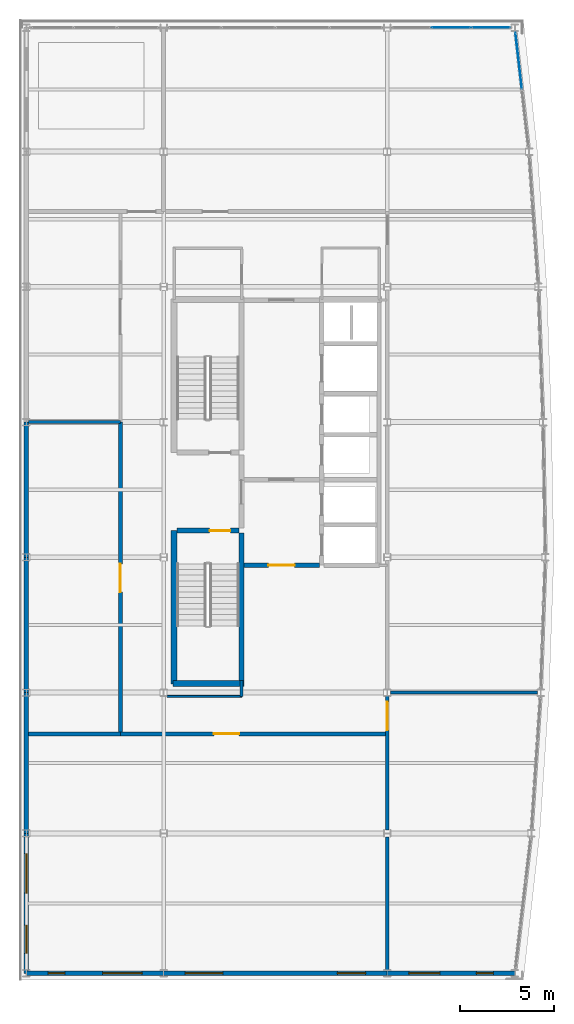
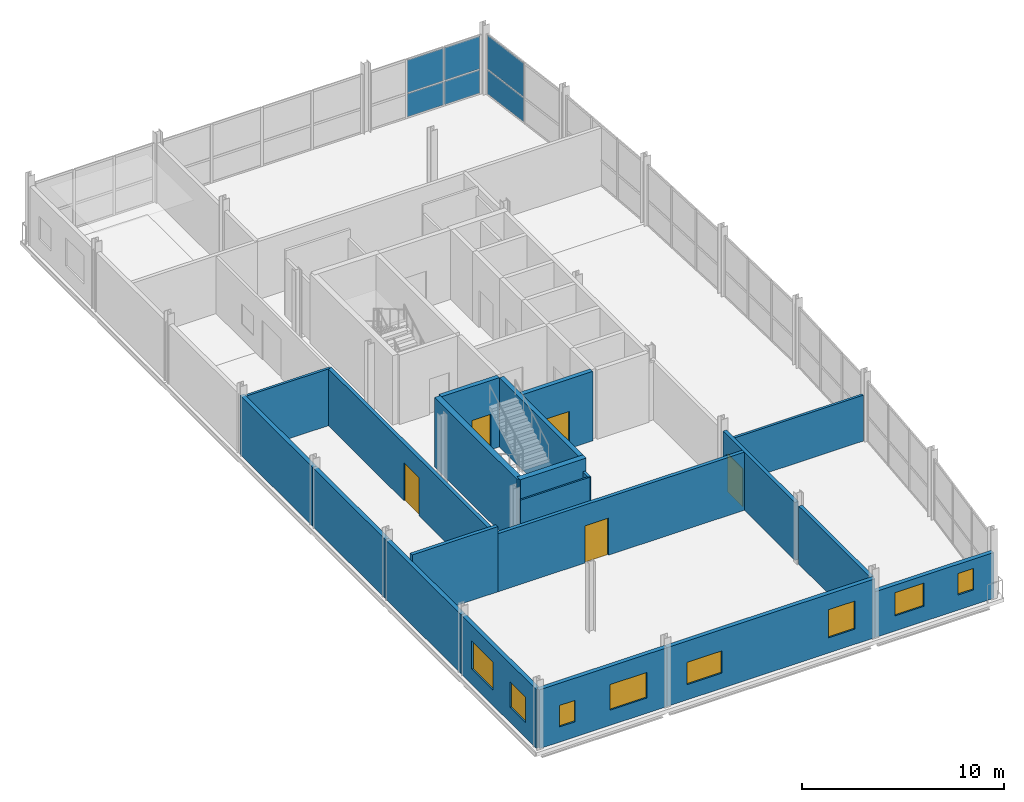
# One storey, part 15 of 20: 21 walls, 8 windows, 6 plates, 5 doors, 13 openings, 2 elements without a shape of their own.
"""IFC4 building model written with IfcOpenShell, lengths in metres."""

from ifc_helpers import new_model, si_unit, direction, frame, frame_2d, origin, origin_2d, place, context, subcontext, project, spatial, rectangle, extrude, material, layer, layer_set, type_object, element, fill, aggregate, save


model = new_model("IFC4")

# Units and contexts
model_context = context("Model", 3, precision=1e-05, world=origin(), true_north=direction((0.0, 1.0)))
body_context = subcontext(model_context, "Body", "Model", "MODEL_VIEW")
ifc_project = project(units=[si_unit("LENGTHUNIT", "METRE"), si_unit("AREAUNIT", "SQUARE_METRE"), si_unit("VOLUMEUNIT", "CUBIC_METRE"), si_unit("PLANEANGLEUNIT", "RADIAN"), si_unit("MASSUNIT", "GRAM", prefix="KILO")], contexts=[model_context])

# Site, building, storey
site_placement = place(None, origin())
site = spatial("IfcSite", under=ifc_project, at=site_placement, CompositionType="ELEMENT")
building_placement = place(site_placement, origin())
building = spatial("IfcBuilding", under=site, at=building_placement, Name="Quillay Park Conservatory", CompositionType="ELEMENT")
storey_placement = place(building_placement, frame((0.0, 0.0, 30.89990234375)))
storey = spatial("IfcBuildingStorey", under=building, at=storey_placement, Name="L07", CompositionType="ELEMENT", Elevation=30.89990234375)

# Curtain wall, plates
ifc_material_1 = material(Name="Thermally Broken Anodised Aluminium 6063-T6", Category="aluminium")
ifc_layer_1 = layer(ifc_material_1, 0.199951171875)
ifc_layer_set_1 = layer_set([ifc_layer_1], Name="UNITISED CURTAIN WALL HERBARIUM (Thermally Broken Anodised Aluminium 6063-T6)")
curtain_wall_type = type_object("IfcCurtainWallType", Name="UNITISED CURTAIN WALL HERBARIUM", PredefinedType="USERDEFINED", material=ifc_layer_set_1)
curtain_wall_1_placement = place(storey_placement, origin())
curtain_wall_1 = element("IfcCurtainWall", 1, at=curtain_wall_1_placement, inside=storey, type_object=curtain_wall_type, Name="L07 Unitised Curtain Wall 074", ObjectType="UNITISED CURTAIN WALL", PredefinedType="USERDEFINED")
ifc_material_2 = material(Name="Low-E Double Glazing (Laminated Tempered)", Category="glass")
ifc_layer_2 = layer(ifc_material_2, 0.028076171875)
ifc_layer_set_2 = layer_set([ifc_layer_2], Name="CURTAIN WALL GLAZED PANEL 28 (Low-E Double Glazing (Laminated Tempered))")
plate_type = type_object("IfcPlateType", Name="CURTAIN WALL GLAZED PANEL 28", PredefinedType="CURTAIN_PANEL", material=ifc_layer_set_2)
plate_1_placement = place(storey_placement, frame((26.750732421875, 111.63330078125, 0.06982421875), z_axis=(0.0, 0.0, 1.0), x_axis=(0.112903218278, -0.993605989969, 0.0)))
plate_1 = element("IfcPlate", 2, at=plate_1_placement, type_object=plate_type, Name="CW-T2 panel 1.1", PredefinedType="CURTAIN_PANEL", context=body_context, shape_type="SweptSolid", body=[
    extrude(rectangle(XDim=3.016357421875, YDim=0.028076171875, at=origin_2d()), origin(), (0.0, 0.0, 1.0), 1.443603515625),
])
plate_2_placement = place(storey_placement, frame((26.750732421875, 111.63330078125, 1.58349609375), z_axis=(0.0, 0.0, 1.0), x_axis=(0.112903218278, -0.993605989969, 0.0)))
plate_2 = element("IfcPlate", 3, at=plate_2_placement, type_object=plate_type, Name="CW-T2 panel 1.2", PredefinedType="CURTAIN_PANEL", context=body_context, shape_type="SweptSolid", body=[
    extrude(rectangle(XDim=3.016357421875, YDim=0.028076171875, at=origin_2d()), origin(), (0.0, 0.0, 1.0), 2.033447265625),
])
aggregate(curtain_wall_1, [plate_1, plate_2])

curtain_wall_2_placement = place(storey_placement, origin())
curtain_wall_2 = element("IfcCurtainWall", 4, at=curtain_wall_2_placement, inside=storey, type_object=curtain_wall_type, Name="L07 Unitised Curtain Wall 077", ObjectType="UNITISED CURTAIN WALL", PredefinedType="USERDEFINED")
plate_3_placement = place(storey_placement, frame((23.14990234375, 113.39990234375, 0.070068359375), z_axis=(0.0, 0.0, 1.0), x_axis=(1.0, 0.0, 0.0)))
plate_3 = element("IfcPlate", 5, at=plate_3_placement, type_object=plate_type, Name="CW-T2 panel 2.1", PredefinedType="CURTAIN_PANEL", context=body_context, shape_type="SweptSolid", body=[
    extrude(rectangle(XDim=2.063232421875, YDim=0.028076171875, at=origin_2d()), origin(), (0.0, 0.0, 1.0), 1.39599609375),
])
plate_4_placement = place(storey_placement, frame((23.14990234375, 113.39990234375, 1.5361328125), z_axis=(0.0, 0.0, 1.0), x_axis=(1.0, 0.0, 0.0)))
plate_4 = element("IfcPlate", 6, at=plate_4_placement, type_object=plate_type, Name="CW-T2 panel 2.2", PredefinedType="CURTAIN_PANEL", context=body_context, shape_type="SweptSolid", body=[
    extrude(rectangle(XDim=2.063232421875, YDim=0.028076171875, at=origin_2d()), origin(), (0.0, 0.0, 1.0), 1.968017578125),
])
plate_5_placement = place(storey_placement, frame((25.265869140625, 113.39990234375, 0.070068359375), z_axis=(0.0, 0.0, 1.0), x_axis=(1.0, 0.0, 0.0)))
plate_5 = element("IfcPlate", 7, at=plate_5_placement, type_object=plate_type, Name="CW-T2 panel 3.1", PredefinedType="CURTAIN_PANEL", context=body_context, shape_type="SweptSolid", body=[
    extrude(rectangle(XDim=2.0283203125, YDim=0.028076171875, at=origin_2d()), origin(), (0.0, 0.0, 1.0), 1.39599609375),
])
plate_6_placement = place(storey_placement, frame((25.265869140625, 113.39990234375, 1.5361328125), z_axis=(0.0, 0.0, 1.0), x_axis=(1.0, 0.0, 0.0)))
plate_6 = element("IfcPlate", 8, at=plate_6_placement, type_object=plate_type, Name="CW-T2 panel 3.2", PredefinedType="CURTAIN_PANEL", context=body_context, shape_type="SweptSolid", body=[
    extrude(rectangle(XDim=2.0283203125, YDim=0.028076171875, at=origin_2d()), origin(), (0.0, 0.0, 1.0), 1.968017578125),
])
aggregate(curtain_wall_2, [plate_3, plate_4, plate_5, plate_6])

# Walls
ifc_material_3 = material(Name="Steel-Stud Acoustic Gypsum Board Partition", Category="steel")
ifc_layer_3 = layer(ifc_material_3, 0.10009765625)
ifc_layer_set_3 = layer_set([ifc_layer_3], Name="ACOUSTIC GYPSUM PARTITION 100 (Steel-Stud Acoustic Gypsum Board Partition)")
wall_type_1 = type_object("IfcWallType", Name="ACOUSTIC GYPSUM PARTITION 100", PredefinedType="PARTITIONING", material=ifc_layer_set_3)
wall_1_placement = place(storey_placement, frame((8.031982421875, 77.800048828125, 0.0), z_axis=(0.0, 0.0, 1.0), x_axis=(1.0, 0.0, 0.0)))
element("IfcWall", 9, at=wall_1_placement, inside=storey, type_object=wall_type_1, Name="L07 Core South-West Return", PredefinedType="PARTITIONING", context=body_context, shape_type="SweptSolid", body=[
    extrude(rectangle(XDim=3.968017578125, YDim=0.10009765625, at=frame_2d((1.98388671875, 0.0))), origin(), (0.0, 0.0, 1.0), 3.43603515625),
])
ifc_material_4 = material(Name="Steel-Stud Acoustic Gypsum Board Partition", Category="steel")
ifc_layer_4 = layer(ifc_material_4, 0.139892578125)
ifc_layer_set_4 = layer_set([ifc_layer_4], Name="ACOUSTIC GYPSUM PARTITION 140 (Steel-Stud Acoustic Gypsum Board Partition)")
wall_type_2 = type_object("IfcWallType", Name="ACOUSTIC GYPSUM PARTITION 140", PredefinedType="PARTITIONING", material=ifc_layer_set_4)
wall_2_placement = place(storey_placement, frame((0.64990234375, 92.39990234375, 0.0), z_axis=(0.0, 0.0, 1.0), x_axis=(1.0, 0.0, 0.0)))
element("IfcWall", 10, at=wall_2_placement, inside=storey, type_object=wall_type_2, Name="L07 West Divider 92", PredefinedType="PARTITIONING", context=body_context, shape_type="SweptSolid", body=[
    extrude(rectangle(XDim=4.900146484375, YDim=0.139892578125, at=frame_2d((2.4501953125, 0.0))), origin(), (0.0, 0.0, 1.0), 3.43603515625),
])
wall_3_placement = place(storey_placement, frame((27.742919921875, 78.0, 0.0), z_axis=(0.0, 0.0, 1.0), x_axis=(-1.0, 0.0, 0.0)))
element("IfcWall", 11, at=wall_3_placement, inside=storey, type_object=wall_type_2, Name="L07 East Strip South Wall", PredefinedType="PARTITIONING", context=body_context, shape_type="SweptSolid", body=[
    extrude(rectangle(XDim=7.81103515625, YDim=0.139892578125, at=frame_2d((3.905517578125, 0.0))), origin(), (0.0, 0.0, 1.0), 2.775146484375),
])
ifc_material_5 = material(Name="Steel-Stud Acoustic Gypsum Board Partition", Category="steel")
ifc_layer_5 = layer(ifc_material_5, 0.14990234375)
ifc_layer_set_5 = layer_set([ifc_layer_5], Name="ACOUSTIC GYPSUM PARTITION 150 (Steel-Stud Acoustic Gypsum Board Partition)")
wall_type_3 = type_object("IfcWallType", Name="ACOUSTIC GYPSUM PARTITION 150", PredefinedType="PARTITIONING", material=ifc_layer_set_5)
wall_4_placement = place(storey_placement, frame((12.0, 77.800048828125, 0.0), z_axis=(0.0, 0.0, 1.0), x_axis=(0.0, 1.0, 0.0)))
element("IfcWall", 12, at=wall_4_placement, inside=storey, type_object=wall_type_3, Name="L07 Core South Vestibule West Wall", PredefinedType="PARTITIONING", context=body_context, shape_type="SweptSolid", body=[
    extrude(rectangle(XDim=0.849853515625, YDim=0.14990234375, at=frame_2d((0.4248046875, 0.0))), origin(), (0.0, 0.0, 1.0), 3.43603515625),
])
ifc_material_6 = material(Name="Concrete C40/50 (NCh170 Concrete C40/50)", Category="concrete")
ifc_layer_6 = layer(ifc_material_6, 0.25)
ifc_layer_set_6 = layer_set([ifc_layer_6], Name="CORE SHEAR WALL 250 (Concrete C40/50 (NCh170 Concrete C40/50))")
wall_type_4 = type_object("IfcWallType", Name="CORE SHEAR WALL 250", PredefinedType="SHEAR", material=ifc_layer_set_6)
wall_5_placement = place(storey_placement, frame((11.9951171875, 78.64990234375, 0.0), z_axis=(0.0, 0.0, 1.0), x_axis=(0.0, 1.0, 0.0)))
element("IfcWall", 13, at=wall_5_placement, inside=storey, type_object=wall_type_4, Name="L07 Core Shear Wall WL-T2E-L07", PredefinedType="SHEAR", context=body_context, shape_type="SweptSolid", body=[
    extrude(rectangle(XDim=7.85009765625, YDim=0.25, at=frame_2d((3.925048828125, 0.0))), origin(), (0.0, 0.0, 1.0), 4.2001953125),
])

# Wall, opening, door
wall_6_placement = place(storey_placement, frame((8.550048828125, 86.625, 0.0), z_axis=(0.0, 0.0, 1.0), x_axis=(1.0, 0.0, 0.0)))
wall_6 = element("IfcWall", 14, at=wall_6_placement, inside=storey, type_object=wall_type_4, Name="L07 Core Shear Wall WL-ST2D-L07", PredefinedType="SHEAR", context=body_context, shape_type="SweptSolid", body=[
    extrude(rectangle(XDim=3.320068359375, YDim=0.25, at=frame_2d((1.66015625, 0.0))), origin(), (0.0, 0.0, 1.0), 4.2001953125),
])
opening_1_placement = place(wall_6_placement, frame((1.75, 0.0, 0.0)))
opening_1 = element("IfcOpeningElement", 15, at=opening_1_placement, cuts=wall_6, Name="Opening D-ST01", PredefinedType="OPENING", context=body_context, shape_type="SweptSolid", body=[
    extrude(rectangle(XDim=1.10009765625, YDim=2.14990234375, at=frame_2d((0.550048828125, 1.074951171875))), frame((0.0, 0.125, 0.0), z_axis=(0.0, -1.0, 0.0), x_axis=(1.0, 0.0, 0.0)), (0.0, 0.0, 1.0), 0.25),
])
ifc_material_7 = material(Name="Steel ASTM A572 Grade 50", Category="steel")
door_type_1 = type_object("IfcDoorType", Name="FIRE RATED STAIR DOOR 1100 X2150", OperationType="NOTDEFINED", PredefinedType="DOOR", material=ifc_material_7)
door_1_placement = place(opening_1_placement, origin())
door_1 = element("IfcDoor", 16, at=door_1_placement, inside=storey, type_object=door_type_1, Name="L07 Protected Stair ST-T2 Door", OperationType="SINGLE_SWING_LEFT", OverallHeight=2.14990234375, OverallWidth=1.10009765625, PredefinedType="DOOR", context=body_context, shape_type="SweptSolid", body=[
    extrude(rectangle(XDim=1.10009765625, YDim=2.14990234375, at=frame_2d((0.550048828125, 1.074951171875))), frame((0.0, 0.02490234375, 0.0), z_axis=(0.0, -1.0, 0.0), x_axis=(1.0, 0.0, 0.0)), (0.0, 0.0, 1.0), 0.050048828125),
])
fill(opening_1, door_1)

wall_7_placement = place(storey_placement, frame((12.1201171875, 84.77490234375, 0.0), z_axis=(0.0, 0.0, 1.0), x_axis=(1.0, 0.0, 0.0)))
wall_7 = element("IfcWall", 17, at=wall_7_placement, inside=storey, type_object=wall_type_4, Name="L07 Core Shear Wall WL-FFS-L07", PredefinedType="SHEAR", context=body_context, shape_type="SweptSolid", body=[
    extrude(rectangle(XDim=4.02978515625, YDim=0.25, at=frame_2d((2.014892578125, 0.0))), origin(), (0.0, 0.0, 1.0), 4.2001953125),
])
opening_2_placement = place(wall_7_placement, frame((1.300048828125, 0.0, 0.0)))
opening_2 = element("IfcOpeningElement", 18, at=opening_2_placement, cuts=wall_7, Name="Opening D-LB03", PredefinedType="OPENING", context=body_context, shape_type="SweptSolid", body=[
    extrude(rectangle(XDim=1.39990234375, YDim=2.25, at=frame_2d((0.699951171875, 1.125))), frame((0.0, 0.125, 0.0), z_axis=(0.0, -1.0, 0.0), x_axis=(1.0, 0.0, 0.0)), (0.0, 0.0, 1.0), 0.25),
])
ifc_material_8 = material(Name="Steel ASTM A572 Grade 50", Category="steel")
door_type_2 = type_object("IfcDoorType", Name="FIRE RATED LOBBY DOOR 1400 X2250", OperationType="NOTDEFINED", PredefinedType="DOOR", material=ifc_material_8)
door_2_placement = place(opening_2_placement, origin())
door_2 = element("IfcDoor", 19, at=door_2_placement, inside=storey, type_object=door_type_2, Name="L07 South Core Lobby Door", OperationType="SINGLE_SWING_RIGHT", OverallHeight=2.25, OverallWidth=1.39990234375, PredefinedType="DOOR", context=body_context, shape_type="SweptSolid", body=[
    extrude(rectangle(XDim=1.39990234375, YDim=2.25, at=frame_2d((0.699951171875, 1.125))), frame((0.0, 0.02490234375, 0.0), z_axis=(0.0, -1.0, 0.0), x_axis=(1.0, 0.0, 0.0)), (0.0, 0.0, 1.0), 0.050048828125),
])
fill(opening_2, door_2)

# Walls
ifc_material_9 = material(Name="Concrete C40/50 (NCh170 Concrete C40/50)", Category="concrete")
ifc_layer_7 = layer(ifc_material_9, 0.320068359375)
ifc_layer_set_7 = layer_set([ifc_layer_7], Name="CORE SHEAR WALL 320 (Concrete C40/50 (NCh170 Concrete C40/50))")
wall_type_5 = type_object("IfcWallType", Name="CORE SHEAR WALL 320", PredefinedType="SHEAR", material=ifc_layer_set_7)
wall_8_placement = place(storey_placement, frame((8.389892578125, 78.449951171875, 0.0), z_axis=(0.0, 0.0, 1.0), x_axis=(0.0, 1.0, 0.0)))
element("IfcWall", 20, at=wall_8_placement, inside=storey, type_object=wall_type_5, Name="L07 Core Shear Wall WL-TCW-S-L07", PredefinedType="SHEAR", context=body_context, shape_type="SweptSolid", body=[
    extrude(rectangle(XDim=8.175048828125, YDim=0.320068359375, at=frame_2d((4.08740234375, 0.0))), origin(), (0.0, 0.0, 1.0), 4.2001953125),
])
wall_9_placement = place(storey_placement, frame((8.35009765625, 78.489990234375, 0.0), z_axis=(0.0, 0.0, 1.0), x_axis=(1.0, 0.0, 0.0)))
element("IfcWall", 21, at=wall_9_placement, inside=storey, type_object=wall_type_5, Name="L07 Core Shear Wall WL-TCS-L07", PredefinedType="SHEAR", context=body_context, shape_type="SweptSolid", body=[
    extrude(rectangle(XDim=3.77001953125, YDim=0.320068359375, at=frame_2d((1.885009765625, 0.0))), origin(), (0.0, 0.0, 1.0), 4.2001953125),
])

# Wall, openings, windows
ifc_material_10 = material(Name="Glass-Fibre Reinforced Concrete (GRC) Cladding", Category="concrete")
ifc_layer_8 = layer(ifc_material_10, 0.239990234375)
ifc_layer_set_8 = layer_set([ifc_layer_8], Name="EXTERIOR SOLID WALL 240 (Glass-Fibre Reinforced Concrete (GRC) Cladding)")
wall_type_6 = type_object("IfcWallType", Name="EXTERIOR SOLID WALL 240", PredefinedType="SOLIDWALL", material=ifc_layer_set_8)
wall_10_placement = place(storey_placement, frame((0.550048828125, 63.050048828125, 0.0), z_axis=(0.0, 0.0, 1.0), x_axis=(0.0, 1.0, 0.0)))
wall_10 = element("IfcWall", 22, at=wall_10_placement, inside=storey, type_object=wall_type_6, Name="L07 External Wall WL-EXT-V4W-L07-0", PredefinedType="SOLIDWALL", context=body_context, shape_type="SweptSolid", body=[
    extrude(rectangle(XDim=7.449951171875, YDim=0.239990234375, at=frame_2d((3.72509765625, 0.0))), origin(), (0.0, 0.0, 1.0), 3.56201171875),
])
opening_3_placement = place(wall_10_placement, frame((1.070068359375, 0.0, 0.919921875)))
opening_3 = element("IfcOpeningElement", 23, at=opening_3_placement, cuts=wall_10, Name="Opening W-08", PredefinedType="OPENING", context=body_context, shape_type="SweptSolid", body=[
    extrude(rectangle(XDim=1.5, YDim=1.550048828125, at=frame_2d((0.75, 0.77490234375))), frame((0.0, 0.1201171875, 0.0), z_axis=(0.0, -1.0, 0.0), x_axis=(1.0, 0.0, 0.0)), (0.0, 0.0, 1.0), 0.239990234375),
])
opening_4_placement = place(wall_10_placement, frame((4.280029296875, 0.0, 0.919921875)))
opening_4 = element("IfcOpeningElement", 24, at=opening_4_placement, cuts=wall_10, Name="Opening W-15", PredefinedType="OPENING", context=body_context, shape_type="SweptSolid", body=[
    extrude(rectangle(XDim=2.10009765625, YDim=1.699951171875, at=frame_2d((1.050048828125, 0.85009765625))), frame((0.0, 0.1201171875, 0.0), z_axis=(0.0, -1.0, 0.0), x_axis=(1.0, 0.0, 0.0)), (0.0, 0.0, 1.0), 0.239990234375),
])
ifc_material_11 = material(Name="Low-E Double Glazing (Laminated Tempered)", Category="glass")
window_type_1 = type_object("IfcWindowType", Name="FIXED CASEMENT WINDOW 1500 X1550", PartitioningType="SINGLE_PANEL", PredefinedType="WINDOW", material=ifc_material_11)
window_1_placement = place(opening_3_placement, origin())
window_1 = element("IfcWindow", 25, at=window_1_placement, inside=storey, type_object=window_type_1, Name="L07 Exterior Window 0193", OverallHeight=1.550048828125, OverallWidth=1.5, PartitioningType="SINGLE_PANEL", PredefinedType="WINDOW", context=body_context, shape_type="SweptSolid", body=[
    extrude(rectangle(XDim=1.5, YDim=1.550048828125, at=frame_2d((0.75, 0.77490234375))), frame((0.0, 0.030029296875, 0.0), z_axis=(0.0, -1.0, 0.0), x_axis=(1.0, 0.0, 0.0)), (0.0, 0.0, 1.0), 0.06005859375),
])
fill(opening_3, window_1)
ifc_material_12 = material(Name="Low-E Double Glazing (Laminated Tempered)", Category="glass")
window_type_2 = type_object("IfcWindowType", Name="FIXED CASEMENT WINDOW 2100 X1700", PartitioningType="DOUBLE_PANEL_VERTICAL", PredefinedType="WINDOW", material=ifc_material_12)
window_2_placement = place(opening_4_placement, origin())
window_2 = element("IfcWindow", 26, at=window_2_placement, inside=storey, type_object=window_type_2, Name="L07 Exterior Window 0194", OverallHeight=1.699951171875, OverallWidth=2.10009765625, PartitioningType="DOUBLE_PANEL_VERTICAL", PredefinedType="WINDOW", context=body_context, shape_type="SweptSolid", body=[
    extrude(rectangle(XDim=2.10009765625, YDim=1.699951171875, at=frame_2d((1.050048828125, 0.85009765625))), frame((0.0, 0.030029296875, 0.0), z_axis=(0.0, -1.0, 0.0), x_axis=(1.0, 0.0, 0.0)), (0.0, 0.0, 1.0), 0.06005859375),
])
fill(opening_4, window_2)

# Walls
wall_11_placement = place(storey_placement, frame((0.550048828125, 70.5, 0.0), z_axis=(0.0, 0.0, 1.0), x_axis=(0.0, 1.0, 0.0)))
element("IfcWall", 27, at=wall_11_placement, inside=storey, type_object=wall_type_6, Name="L07 External Wall WL-EXT-V4W-L07-1", PredefinedType="SOLIDWALL", context=body_context, shape_type="SweptSolid", body=[
    extrude(rectangle(XDim=7.5, YDim=0.239990234375, at=frame_2d((3.75, 0.0))), origin(), (0.0, 0.0, 1.0), 3.56201171875),
])
for number, where, z_axis, x_axis, name in (
    (28, (0.550048828125, 78.0, 0.0), (0.0, 0.0, 1.0), (0.0, 1.0, 0.0), "L07 External Wall WL-EXT-V4W-L07-2"),
    (29, (0.550048828125, 85.199951171875, 0.0), (0.0, 0.0, 1.0), (0.0, 1.0, 0.0), "L07 External Wall WL-EXT-V4W-L07-3"),
):
    element("IfcWall", number, at=place(storey_placement, frame(where, z_axis=z_axis, x_axis=x_axis)), inside=storey, type_object=wall_type_6, Name=name, PredefinedType="SOLIDWALL", context=body_context, shape_type="SweptSolid", body=[
        extrude(rectangle(XDim=7.199951171875, YDim=0.239990234375, at=frame_2d((3.60009765625, 0.0))), origin(), (0.0, 0.0, 1.0), 3.56201171875),
    ])

# Wall, openings, windows
wall_12_placement = place(storey_placement, frame((7.85009765625, 63.050048828125, 0.0), z_axis=(0.0, 0.0, 1.0), x_axis=(-1.0, 0.0, 0.0)))
wall_12 = element("IfcWall", 30, at=wall_12_placement, inside=storey, type_object=wall_type_6, Name="L07 External Wall WL-EXT-V4S1-L07", PredefinedType="SOLIDWALL", context=body_context, shape_type="SweptSolid", body=[
    extrude(rectangle(XDim=7.300048828125, YDim=0.239990234375, at=frame_2d((3.64990234375, 0.0))), origin(), (0.0, 0.0, 1.0), 3.56201171875),
])
opening_5_placement = place(wall_12_placement, frame((1.14990234375, 0.0, 0.919921875)))
opening_5 = element("IfcOpeningElement", 31, at=opening_5_placement, cuts=wall_12, Name="Opening W-10", PredefinedType="OPENING", context=body_context, shape_type="SweptSolid", body=[
    extrude(rectangle(XDim=2.10009765625, YDim=1.550048828125, at=frame_2d((1.050048828125, 0.77490234375))), frame((0.0, 0.1201171875, 0.0), z_axis=(0.0, -1.0, 0.0), x_axis=(1.0, 0.0, 0.0)), (0.0, 0.0, 1.0), 0.239990234375),
])
opening_6_placement = place(wall_12_placement, frame((5.25, 0.0, 0.919921875)))
opening_6 = element("IfcOpeningElement", 32, at=opening_6_placement, cuts=wall_12, Name="Opening W-17", PredefinedType="OPENING", context=body_context, shape_type="SweptSolid", body=[
    extrude(rectangle(XDim=0.89990234375, YDim=1.300048828125, at=frame_2d((0.449951171875, 0.64990234375))), frame((0.0, 0.1201171875, 0.0), z_axis=(0.0, -1.0, 0.0), x_axis=(1.0, 0.0, 0.0)), (0.0, 0.0, 1.0), 0.239990234375),
])
ifc_material_13 = material(Name="Low-E Double Glazing (Laminated Tempered)", Category="glass")
window_type_3 = type_object("IfcWindowType", Name="FIXED CASEMENT WINDOW 2100 X1550", PartitioningType="DOUBLE_PANEL_VERTICAL", PredefinedType="WINDOW", material=ifc_material_13)
window_3_placement = place(opening_5_placement, origin())
window_3 = element("IfcWindow", 33, at=window_3_placement, inside=storey, type_object=window_type_3, Name="L07 Exterior Window 0197", OverallHeight=1.550048828125, OverallWidth=2.10009765625, PartitioningType="DOUBLE_PANEL_VERTICAL", PredefinedType="WINDOW", context=body_context, shape_type="SweptSolid", body=[
    extrude(rectangle(XDim=2.10009765625, YDim=1.550048828125, at=frame_2d((1.050048828125, 0.77490234375))), frame((0.0, 0.030029296875, 0.0), z_axis=(0.0, -1.0, 0.0), x_axis=(1.0, 0.0, 0.0)), (0.0, 0.0, 1.0), 0.06005859375),
])
fill(opening_5, window_3)
ifc_material_14 = material(Name="Low-E Double Glazing (Laminated Tempered)", Category="glass")
window_type_4 = type_object("IfcWindowType", Name="FIXED CASEMENT WINDOW 900 X1300", PartitioningType="SINGLE_PANEL", PredefinedType="WINDOW", material=ifc_material_14)
window_4_placement = place(opening_6_placement, origin())
window_4 = element("IfcWindow", 34, at=window_4_placement, inside=storey, type_object=window_type_4, Name="L07 Exterior Window 0198", OverallHeight=1.300048828125, OverallWidth=0.89990234375, PartitioningType="SINGLE_PANEL", PredefinedType="WINDOW", context=body_context, shape_type="SweptSolid", body=[
    extrude(rectangle(XDim=0.89990234375, YDim=1.300048828125, at=frame_2d((0.449951171875, 0.64990234375))), frame((0.0, 0.030029296875, 0.0), z_axis=(0.0, -1.0, 0.0), x_axis=(1.0, 0.0, 0.0)), (0.0, 0.0, 1.0), 0.06005859375),
])
fill(opening_6, window_4)

wall_13_placement = place(storey_placement, frame((19.75, 63.050048828125, 0.0), z_axis=(0.0, 0.0, 1.0), x_axis=(-1.0, 0.0, 0.0)))
wall_13 = element("IfcWall", 35, at=wall_13_placement, inside=storey, type_object=wall_type_6, Name="L07 External Wall WL-EXT-V4S2-L07", PredefinedType="SOLIDWALL", context=body_context, shape_type="SweptSolid", body=[
    extrude(rectangle(XDim=11.89990234375, YDim=0.239990234375, at=frame_2d((5.949951171875, 0.0))), origin(), (0.0, 0.0, 1.0), 3.56201171875),
])
opening_7_placement = place(wall_13_placement, frame((1.14990234375, 0.0, 0.919921875)))
opening_7 = element("IfcOpeningElement", 36, at=opening_7_placement, cuts=wall_13, Name="Opening W-13", PredefinedType="OPENING", context=body_context, shape_type="SweptSolid", body=[
    extrude(rectangle(XDim=1.5, YDim=1.699951171875, at=frame_2d((0.75, 0.85009765625))), frame((0.0, 0.1201171875, 0.0), z_axis=(0.0, -1.0, 0.0), x_axis=(1.0, 0.0, 0.0)), (0.0, 0.0, 1.0), 0.239990234375),
])
opening_8_placement = place(wall_13_placement, frame((8.75, 0.0, 0.919921875)))
opening_8 = element("IfcOpeningElement", 37, at=opening_8_placement, cuts=wall_13, Name="Opening W-20", PredefinedType="OPENING", context=body_context, shape_type="SweptSolid", body=[
    extrude(rectangle(XDim=2.0, YDim=1.35009765625, at=frame_2d((1.0, 0.675048828125))), frame((0.0, 0.1201171875, 0.0), z_axis=(0.0, -1.0, 0.0), x_axis=(1.0, 0.0, 0.0)), (0.0, 0.0, 1.0), 0.239990234375),
])
ifc_material_15 = material(Name="Low-E Double Glazing (Laminated Tempered)", Category="glass")
window_type_5 = type_object("IfcWindowType", Name="FIXED CASEMENT WINDOW 1500 X1700", PartitioningType="SINGLE_PANEL", PredefinedType="WINDOW", material=ifc_material_15)
window_5_placement = place(opening_7_placement, origin())
window_5 = element("IfcWindow", 38, at=window_5_placement, inside=storey, type_object=window_type_5, Name="L07 Exterior Window 0199", OverallHeight=1.699951171875, OverallWidth=1.5, PartitioningType="SINGLE_PANEL", PredefinedType="WINDOW", context=body_context, shape_type="SweptSolid", body=[
    extrude(rectangle(XDim=1.5, YDim=1.699951171875, at=frame_2d((0.75, 0.85009765625))), frame((0.0, 0.030029296875, 0.0), z_axis=(0.0, -1.0, 0.0), x_axis=(1.0, 0.0, 0.0)), (0.0, 0.0, 1.0), 0.06005859375),
])
fill(opening_7, window_5)
ifc_material_16 = material(Name="Low-E Double Glazing (Laminated Tempered)", Category="glass")
window_type_6 = type_object("IfcWindowType", Name="FIXED CASEMENT WINDOW 2000 X1350", PartitioningType="DOUBLE_PANEL_VERTICAL", PredefinedType="WINDOW", material=ifc_material_16)
window_6_placement = place(opening_8_placement, origin())
window_6 = element("IfcWindow", 39, at=window_6_placement, inside=storey, type_object=window_type_6, Name="L07 Exterior Window 0200", OverallHeight=1.35009765625, OverallWidth=2.0, PartitioningType="DOUBLE_PANEL_VERTICAL", PredefinedType="WINDOW", context=body_context, shape_type="SweptSolid", body=[
    extrude(rectangle(XDim=2.0, YDim=1.35009765625, at=frame_2d((1.0, 0.675048828125))), frame((0.0, 0.030029296875, 0.0), z_axis=(0.0, -1.0, 0.0), x_axis=(1.0, 0.0, 0.0)), (0.0, 0.0, 1.0), 0.06005859375),
])
fill(opening_8, window_6)

wall_14_placement = place(storey_placement, frame((26.550048828125, 63.050048828125, 0.0), z_axis=(0.0, 0.0, 1.0), x_axis=(-1.0, 0.0, 0.0)))
wall_14 = element("IfcWall", 40, at=wall_14_placement, inside=storey, type_object=wall_type_6, Name="L07 External Wall WL-EXT-V4S3-L07", PredefinedType="SOLIDWALL", context=body_context, shape_type="SweptSolid", body=[
    extrude(rectangle(XDim=6.800048828125, YDim=0.239990234375, at=frame_2d((3.39990234375, 0.0))), origin(), (0.0, 0.0, 1.0), 2.775146484375),
])
opening_9_placement = place(wall_14_placement, frame((1.14990234375, 0.0, 0.919921875)))
opening_9 = element("IfcOpeningElement", 41, at=opening_9_placement, cuts=wall_14, Name="Opening W-17", PredefinedType="OPENING", context=body_context, shape_type="SweptSolid", body=[
    extrude(rectangle(XDim=0.89990234375, YDim=1.300048828125, at=frame_2d((0.449951171875, 0.64990234375))), frame((0.0, 0.1201171875, 0.0), z_axis=(0.0, -1.0, 0.0), x_axis=(1.0, 0.0, 0.0)), (0.0, 0.0, 1.0), 0.239990234375),
])
opening_10_placement = place(wall_14_placement, frame((4.0, 0.0, 0.919921875)))
opening_10 = element("IfcOpeningElement", 42, at=opening_10_placement, cuts=wall_14, Name="Opening W-04", PredefinedType="OPENING", context=body_context, shape_type="SweptSolid", body=[
    extrude(rectangle(XDim=1.64990234375, YDim=1.39990234375, at=frame_2d((0.824951171875, 0.699951171875))), frame((0.0, 0.1201171875, 0.0), z_axis=(0.0, -1.0, 0.0), x_axis=(1.0, 0.0, 0.0)), (0.0, 0.0, 1.0), 0.239990234375),
])
ifc_material_17 = material(Name="Low-E Double Glazing (Laminated Tempered)", Category="glass")
window_type_7 = type_object("IfcWindowType", Name="FIXED CASEMENT WINDOW 1650 X1400", PartitioningType="DOUBLE_PANEL_VERTICAL", PredefinedType="WINDOW", material=ifc_material_17)
window_7_placement = place(opening_10_placement, origin())
window_7 = element("IfcWindow", 43, at=window_7_placement, inside=storey, type_object=window_type_7, Name="L07 Exterior Window 0202", OverallHeight=1.39990234375, OverallWidth=1.64990234375, PartitioningType="DOUBLE_PANEL_VERTICAL", PredefinedType="WINDOW", context=body_context, shape_type="SweptSolid", body=[
    extrude(rectangle(XDim=1.64990234375, YDim=1.39990234375, at=frame_2d((0.824951171875, 0.699951171875))), frame((0.0, 0.030029296875, 0.0), z_axis=(0.0, -1.0, 0.0), x_axis=(1.0, 0.0, 0.0)), (0.0, 0.0, 1.0), 0.06005859375),
])
fill(opening_10, window_7)
window_8_placement = place(opening_9_placement, origin())
window_8 = element("IfcWindow", 44, at=window_8_placement, inside=storey, type_object=window_type_4, Name="L07 Exterior Window 0201", OverallHeight=1.300048828125, OverallWidth=0.89990234375, PartitioningType="SINGLE_PANEL", PredefinedType="WINDOW", context=body_context, shape_type="SweptSolid", body=[
    extrude(rectangle(XDim=0.89990234375, YDim=1.300048828125, at=frame_2d((0.449951171875, 0.64990234375))), frame((0.0, 0.030029296875, 0.0), z_axis=(0.0, -1.0, 0.0), x_axis=(1.0, 0.0, 0.0)), (0.0, 0.0, 1.0), 0.06005859375),
])
fill(opening_9, window_8)

# Wall, opening, door
ifc_material_18 = material(Name="Concrete C35/45 (NCh170 Concrete C35/45)", Category="concrete")
ifc_layer_9 = layer(ifc_material_18, 0.199951171875)
ifc_layer_set_9 = layer_set([ifc_layer_9], Name="SOLID VAULT WALL 200 (Concrete C35/45 (NCh170 Concrete C35/45))")
wall_type_7 = type_object("IfcWallType", Name="SOLID VAULT WALL 200", PredefinedType="SOLIDWALL", material=ifc_layer_set_9)
wall_15_placement = place(storey_placement, frame((5.550048828125, 75.800048828125, 0.0), z_axis=(0.0, 0.0, 1.0), x_axis=(0.0, 1.0, 0.0)))
wall_15 = element("IfcWall", 45, at=wall_15_placement, inside=storey, type_object=wall_type_7, Name="L07 L07 Specimen Mounting and Repair Studio Corridor Wall", PredefinedType="SOLIDWALL", context=body_context, shape_type="SweptSolid", body=[
    extrude(rectangle(XDim=16.599853515625, YDim=0.199951171875, at=frame_2d((8.2998046875, 0.0))), origin(), (0.0, 0.0, 1.0), 3.43603515625),
])
opening_11_placement = place(wall_15_placement, frame((7.550048828125, 0.0, 0.0)))
opening_11 = element("IfcOpeningElement", 46, at=opening_11_placement, cuts=wall_15, Name="Opening D-HB02", PredefinedType="OPENING", context=body_context, shape_type="SweptSolid", body=[
    extrude(rectangle(XDim=1.5, YDim=2.300048828125, at=frame_2d((0.75, 1.14990234375))), frame((0.0, 0.10009765625, 0.0), z_axis=(0.0, -1.0, 0.0), x_axis=(1.0, 0.0, 0.0)), (0.0, 0.0, 1.0), 0.199951171875),
])
ifc_material_19 = material(Name="Steel ASTM A572 Grade 50", Category="steel")
door_type_3 = type_object("IfcDoorType", Name="FIRE RATED VAULT DOOR 1500 X2300", OperationType="NOTDEFINED", PredefinedType="DOOR", material=ifc_material_19)
door_3_placement = place(opening_11_placement, origin())
door_3 = element("IfcDoor", 47, at=door_3_placement, inside=storey, type_object=door_type_3, Name="L07 Door to L07 Specimen Mounting and Repair Studio", OperationType="SINGLE_SWING_RIGHT", OverallHeight=2.300048828125, OverallWidth=1.5, PredefinedType="DOOR", context=body_context, shape_type="SweptSolid", body=[
    extrude(rectangle(XDim=1.5, YDim=2.300048828125, at=frame_2d((0.75, 1.14990234375))), frame((0.0, 0.02490234375, 0.0), z_axis=(0.0, -1.0, 0.0), x_axis=(1.0, 0.0, 0.0)), (0.0, 0.0, 1.0), 0.050048828125),
])
fill(opening_11, door_3)

# Wall
wall_16_placement = place(storey_placement, frame((0.64990234375, 75.800048828125, 0.0), z_axis=(0.0, 0.0, 1.0), x_axis=(1.0, 0.0, 0.0)))
element("IfcWall", 48, at=wall_16_placement, inside=storey, type_object=wall_type_7, Name="L07 L07 National Vascular Herbarium Vault South North-West Wall", PredefinedType="SOLIDWALL", context=body_context, shape_type="SweptSolid", body=[
    extrude(rectangle(XDim=4.900146484375, YDim=0.199951171875, at=frame_2d((2.4501953125, 0.0))), origin(), (0.0, 0.0, 1.0), 3.9501953125),
])

# Wall, opening, door
wall_17_placement = place(storey_placement, frame((19.75, 75.800048828125, 0.0), z_axis=(0.0, 0.0, 1.0), x_axis=(-1.0, 0.0, 0.0)))
wall_17 = element("IfcWall", 49, at=wall_17_placement, inside=storey, type_object=wall_type_7, Name="L07 L07 National Vascular Herbarium Vault South North Door Wall", PredefinedType="SOLIDWALL", context=body_context, shape_type="SweptSolid", body=[
    extrude(rectangle(XDim=14.199951171875, YDim=0.199951171875, at=frame_2d((7.10009765625, 0.0))), origin(), (0.0, 0.0, 1.0), 3.51220703125),
])
opening_12_placement = place(wall_17_placement, frame((7.875, 0.0, 0.0)))
opening_12 = element("IfcOpeningElement", 50, at=opening_12_placement, cuts=wall_17, Name="Opening D-HB01", PredefinedType="OPENING", context=body_context, shape_type="SweptSolid", body=[
    extrude(rectangle(XDim=1.35009765625, YDim=2.25, at=frame_2d((0.675048828125, 1.125))), frame((0.0, 0.10009765625, 0.0), z_axis=(0.0, -1.0, 0.0), x_axis=(1.0, 0.0, 0.0)), (0.0, 0.0, 1.0), 0.199951171875),
])
ifc_material_20 = material(Name="Steel ASTM A572 Grade 50", Category="steel")
door_type_4 = type_object("IfcDoorType", Name="FIRE RATED VAULT DOOR 1350 X2250", OperationType="NOTDEFINED", PredefinedType="DOOR", material=ifc_material_20)
door_4_placement = place(opening_12_placement, origin())
door_4 = element("IfcDoor", 51, at=door_4_placement, inside=storey, type_object=door_type_4, Name="L07 Door to L07 National Vascular Herbarium Vault South", OperationType="SINGLE_SWING_LEFT", OverallHeight=2.25, OverallWidth=1.35009765625, PredefinedType="DOOR", context=body_context, shape_type="SweptSolid", body=[
    extrude(rectangle(XDim=1.35009765625, YDim=2.25, at=frame_2d((0.675048828125, 1.125))), frame((0.0, 0.02490234375, 0.0), z_axis=(0.0, -1.0, 0.0), x_axis=(1.0, 0.0, 0.0)), (0.0, 0.0, 1.0), 0.050048828125),
])
fill(opening_12, door_4)

# Wall
wall_18_placement = place(storey_placement, frame((19.75, 63.23095703125, 0.0), z_axis=(0.0, 0.0, 1.0), x_axis=(0.0, 1.0, 0.0)))
element("IfcWall", 52, at=wall_18_placement, inside=storey, type_object=wall_type_7, Name="L07 L07 Andean Pteridophyte Herbarium Room West Wall S", PredefinedType="SOLIDWALL", context=body_context, shape_type="SweptSolid", body=[
    extrude(rectangle(XDim=7.087158203125, YDim=0.199951171875, at=frame_2d((3.54345703125, 0.0))), origin(), (0.0, 0.0, 1.0), 3.51220703125),
])

# Wall, opening, door
wall_19_placement = place(storey_placement, frame((19.75, 70.681884765625, 0.0), z_axis=(0.0, 0.0, 1.0), x_axis=(0.0, 1.0, 0.0)))
wall_19 = element("IfcWall", 53, at=wall_19_placement, inside=storey, type_object=wall_type_7, Name="L07 L07 Andean Pteridophyte Herbarium Room West Door Wall", PredefinedType="SOLIDWALL", context=body_context, shape_type="SweptSolid", body=[
    extrude(rectangle(XDim=7.13720703125, YDim=0.199951171875, at=frame_2d((3.568603515625, 0.0))), origin(), (0.0, 0.0, 1.0), 3.51220703125),
])
opening_13_placement = place(wall_19_placement, frame((5.318115234375, 0.0, 0.0)))
opening_13 = element("IfcOpeningElement", 54, at=opening_13_placement, cuts=wall_19, Name="Opening D-HB02", PredefinedType="OPENING", context=body_context, shape_type="SweptSolid", body=[
    extrude(rectangle(XDim=1.5, YDim=2.300048828125, at=frame_2d((0.75, 1.14990234375))), frame((0.0, 0.10009765625, 0.0), z_axis=(0.0, -1.0, 0.0), x_axis=(1.0, 0.0, 0.0)), (0.0, 0.0, 1.0), 0.199951171875),
])
door_5_placement = place(opening_13_placement, origin())
door_5 = element("IfcDoor", 55, at=door_5_placement, inside=storey, type_object=door_type_3, Name="L07 Door to L07 Andean Pteridophyte Herbarium Room", OperationType="SINGLE_SWING_RIGHT", OverallHeight=2.300048828125, OverallWidth=1.5, PredefinedType="DOOR", context=body_context, shape_type="SweptSolid", body=[
    extrude(rectangle(XDim=1.5, YDim=2.300048828125, at=frame_2d((0.75, 1.14990234375))), frame((0.0, 0.02490234375, 0.0), z_axis=(0.0, -1.0, 0.0), x_axis=(1.0, 0.0, 0.0)), (0.0, 0.0, 1.0), 0.050048828125),
])
fill(opening_13, door_5)

save(model, "model.ifc")
